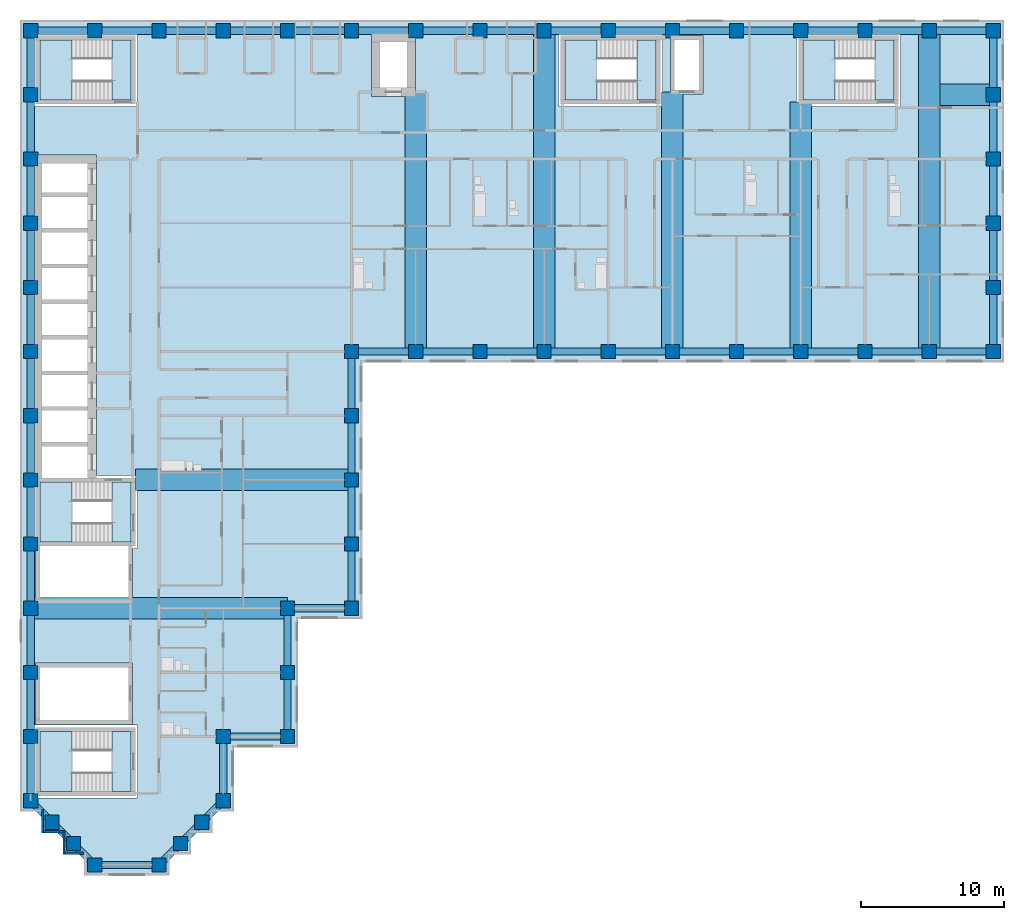
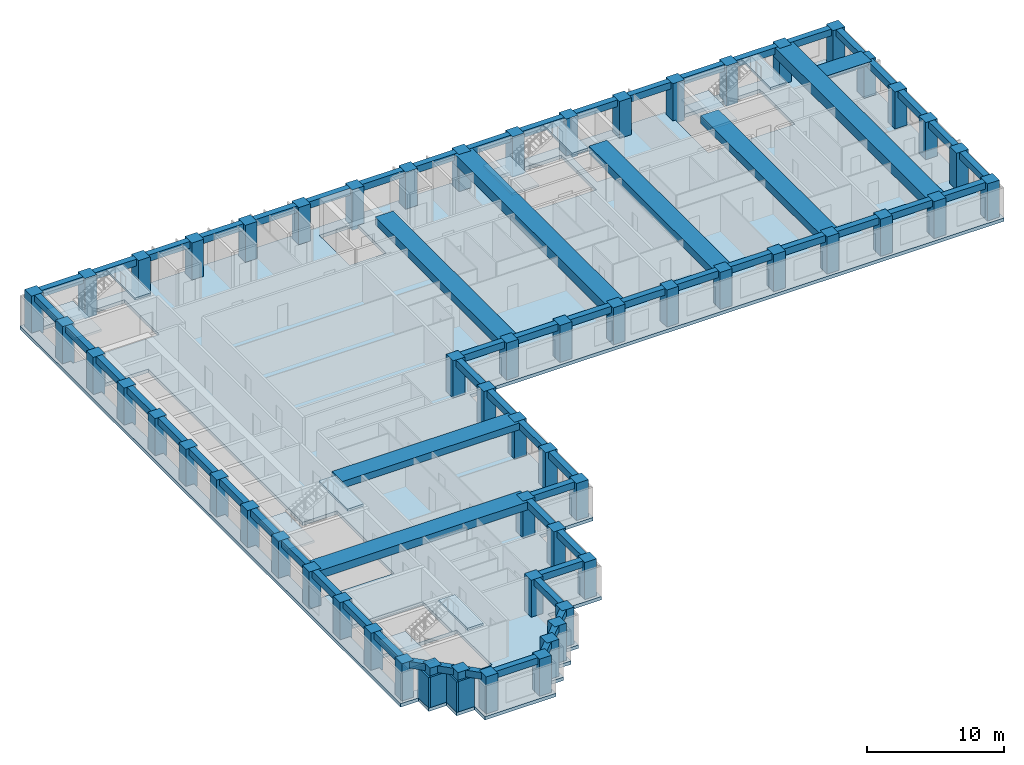
# One storey, part 1 of 12: 66 beams, 58 columns, 11 slabs, 4 walls, 5 elements without a shape of their own.
"""IFC4 building model written with IfcOpenShell, lengths in metres."""

import ifcopenshell
import ifcopenshell.guid

model = None  # the IFC model being written
_history = None  # IfcOwnerHistory: only IFC2X3 demands one
_inside = {}  # id of a spatial element -> (the spatial element, [elements in it])
_under = {}  # id of a project, library or spatial element -> (it, [spatial elements below it])
_declared = {}  # id of a project -> (the project, [libraries it declares])
_typed = {}  # id of a type object -> (the type object, [elements of that type])
_made_of = {}  # id of a material, layer set ... -> (it, [elements and type objects made of it])


def new_model(schema):
    """Start an empty IFC model of exactly this schema.

    Asked for "IFC4X3", IfcOpenShell would pick the latest addendum, in which some entities
    have other attributes; the version numbers below select the first issue.
    IFC2X3 requires an IfcOwnerHistory on every rooted entity: one is made here for all.
    """
    global model, _history
    if schema == "IFC4X3":
        model = ifcopenshell.file(schema_version=(4, 3, 0, 0))
    else:
        model = ifcopenshell.file(schema=schema)
    _inside.clear()
    _under.clear()
    _declared.clear()
    _typed.clear()
    _made_of.clear()
    _history = None
    if model.schema == "IFC2X3":
        org = make("IfcOrganization", Name="unknown")
        user = make(
            "IfcPersonAndOrganization",
            ThePerson=make("IfcPerson", FamilyName="unknown"),
            TheOrganization=org,
        )
        app = make(
            "IfcApplication",
            ApplicationDeveloper=org,
            Version="unknown",
            ApplicationFullName="unknown",
            ApplicationIdentifier="unknown",
        )
        _history = make(
            "IfcOwnerHistory",
            OwningUser=user,
            OwningApplication=app,
            ChangeAction="ADDED",
            CreationDate=0,
        )
    return model


def make(cls, **values):
    """One entity of the class cls with the attributes given. An attribute that is None is left unset."""
    return model.create_entity(
        cls, **{name: value for name, value in values.items() if value is not None}
    )


def rooted(cls, **values):
    """An entity with a GlobalId (a new one), such as an element, a storey or a relation."""
    return make(cls, GlobalId=ifcopenshell.guid.new(), OwnerHistory=_history, **values)


def si_unit(unit_type, name, prefix=None):
    """IfcSIUnit, for example si_unit("LENGTHUNIT", "METRE", prefix="MILLI")."""
    return make("IfcSIUnit", UnitType=unit_type, Prefix=prefix, Name=name)


def assignment(units):
    """IfcUnitAssignment: the units of a project."""
    return None if units is None else make("IfcUnitAssignment", Units=units)


def point(xyz):
    """IfcCartesianPoint."""
    return None if xyz is None else make("IfcCartesianPoint", Coordinates=xyz)


def direction(xyz):
    """IfcDirection."""
    return None if xyz is None else make("IfcDirection", DirectionRatios=xyz)


def frame(location, z_axis=None, x_axis=None):
    """IfcAxis2Placement3D, a coordinate frame: its origin and axes. An axis left out is left unset."""
    return make(
        "IfcAxis2Placement3D",
        Location=point(location),
        Axis=direction(z_axis),
        RefDirection=direction(x_axis),
    )


def frame_2d(location, x_axis=None):
    """IfcAxis2Placement2D, a coordinate frame in the plane: its origin and x axis."""
    return make(
        "IfcAxis2Placement2D", Location=point(location), RefDirection=direction(x_axis)
    )


def origin():
    """The frame at (0, 0, 0) with its axes left unset."""
    return frame((0.0, 0.0, 0.0))


def origin_2d():
    """The frame at (0, 0) in the plane with its x axis left unset."""
    return frame_2d((0.0, 0.0))


def place(relative_to, where):
    """IfcLocalPlacement: puts the frame where relative to a parent placement (None: the world)."""
    return make(
        "IfcLocalPlacement", PlacementRelTo=relative_to, RelativePlacement=where
    )


def context(
    kind, dimensions, precision=None, world=None, true_north=None, identifier=None
):
    """IfcGeometricRepresentationContext, for example the 3D "Model" context."""
    return make(
        "IfcGeometricRepresentationContext",
        ContextIdentifier=identifier,
        ContextType=kind,
        CoordinateSpaceDimension=dimensions,
        Precision=precision,
        WorldCoordinateSystem=world,
        TrueNorth=true_north,
    )


def subcontext(parent, identifier, kind, view, scale=None):
    """IfcGeometricRepresentationSubContext, for example "Body" below "Model"."""
    return make(
        "IfcGeometricRepresentationSubContext",
        ContextIdentifier=identifier,
        ContextType=kind,
        ParentContext=parent,
        TargetScale=scale,
        TargetView=view,
    )


def project(units=None, contexts=None):
    """IfcProject with its units and contexts."""
    return rooted(
        "IfcProject",
        Name="project",
        RepresentationContexts=contexts,
        UnitsInContext=assignment(units),
    )


def spatial(cls, under=None, at=None, **own):
    """A site, building, storey or space (cls), placed at a placement, below another one or the project."""
    s = rooted(cls, ObjectPlacement=at, **own)
    if under is not None:
        _under.setdefault(under.id(), (under, []))[1].append(s)
    return s


def polyline(points):
    """IfcPolyline through the points."""
    return make("IfcPolyline", Points=[point(p) for p in points])


def profile(cls, at=None, kind="AREA", **sizes):
    """A parametric profile (cls). Its sizes go by their IFC names, for example OverallWidth=200.0."""
    return make(cls, ProfileType=kind, Position=at, **sizes)


def rectangle(**sizes):
    """IfcRectangleProfileDef."""
    return profile("IfcRectangleProfileDef", **sizes)


def outline(outer, holes=None, kind="AREA"):
    """IfcArbitraryClosedProfileDef: a profile drawn as a closed curve; with holes, ...WithVoids."""
    if holes is None:
        return make("IfcArbitraryClosedProfileDef", ProfileType=kind, OuterCurve=outer)
    return make(
        "IfcArbitraryProfileDefWithVoids",
        ProfileType=kind,
        OuterCurve=outer,
        InnerCurves=holes,
    )


def extrude(swept, where, along, depth):
    """IfcExtrudedAreaSolid: the profile swept, set in the frame where, extruded along a direction by depth."""
    return make(
        "IfcExtrudedAreaSolid",
        SweptArea=swept,
        Position=where,
        ExtrudedDirection=direction(along),
        Depth=depth,
    )


def shape(context_of_items, identifier, shape_type, items):
    """IfcShapeRepresentation: the items that make up one representation, for example the "Body"."""
    return make(
        "IfcShapeRepresentation",
        ContextOfItems=context_of_items,
        RepresentationIdentifier=identifier,
        RepresentationType=shape_type,
        Items=items,
    )


def material(Name=None, Category=None):
    """IfcMaterial."""
    return make("IfcMaterial", Name=Name, Category=Category)


def layer(
    of_material, thickness, ventilated=None, Name=None, Category=None, Priority=None
):
    """IfcMaterialLayer: one layer of a wall or slab, of a material (None: an air gap)."""
    return make(
        "IfcMaterialLayer",
        Material=of_material,
        LayerThickness=thickness,
        IsVentilated=ventilated,
        Name=Name,
        Category=Category,
        Priority=Priority,
    )


def layer_set(layers, Name=None):
    """IfcMaterialLayerSet."""
    return make("IfcMaterialLayerSet", MaterialLayers=layers, LayerSetName=Name)


def material_profile(
    of_material, cross_section, Name=None, Category=None, Priority=None
):
    """IfcMaterialProfile: a cross section and its material."""
    return make(
        "IfcMaterialProfile",
        Name=Name,
        Material=of_material,
        Profile=cross_section,
        Priority=Priority,
        Category=Category,
    )


def profile_set(profiles, Name=None, composite=None):
    """IfcMaterialProfileSet."""
    return make(
        "IfcMaterialProfileSet",
        Name=Name,
        MaterialProfiles=profiles,
        CompositeProfile=composite,
    )


def made_of(thing, what):
    """Note that an element or type object is made of a material, layer set ...; save() writes the relation."""
    if what is not None:
        _made_of.setdefault(what.id(), (what, []))[1].append(thing)
    return thing


def type_object(cls, material=None, **own):
    """A type object (cls), such as IfcWallType, which elements share."""
    return made_of(rooted(cls, **own), material)


def element(
    cls,
    number,
    at=None,
    inside=None,
    cuts=None,
    type_object=None,
    material=None,
    context=None,
    identifier="Body",
    shape_type=None,
    held_by="IfcProductDefinitionShape",
    body=None,
    shapes=None,
    **own,
):
    """One element of the class cls, such as IfcWall. Its Tag is "e" and its number.

    at: its placement. inside: the storey or other place that contains it. cuts: it is an
    opening in that element (IfcRelVoidsElement). A single representation is given by context,
    identifier, shape_type and body (its items); several are given by shapes. held_by: the class
    of the entity that holds the representations. save() writes the other relations.
    """
    e = rooted(cls, Tag="e%d" % number, ObjectPlacement=at, **own)
    if body is not None:
        shapes = [shape(context, identifier, shape_type, body)]
    if shapes is not None:
        e.Representation = make(held_by, Representations=shapes)
    if inside is not None:
        _inside.setdefault(inside.id(), (inside, []))[1].append(e)
    if cuts is not None:
        rooted(
            "IfcRelVoidsElement", RelatingBuildingElement=cuts, RelatedOpeningElement=e
        )
    if type_object is not None:
        _typed.setdefault(type_object.id(), (type_object, []))[1].append(e)
    return made_of(e, material)


def aggregate(whole, parts):
    """IfcRelAggregates: a whole, such as a stair, and the parts it consists of."""
    return rooted("IfcRelAggregates", RelatingObject=whole, RelatedObjects=parts)


def save(model, path):
    """Write the relations noted so far, then the file.

    IfcRelAggregates (storeys below a building ...), IfcRelContainedInSpatialStructure (elements
    in a storey), IfcRelDefinesByType, IfcRelAssociatesMaterial and IfcRelDeclares: one each for
    every whole, place, type object, material and project.
    """
    for whole, parts in _under.values():
        aggregate(whole, parts)
    for where, things in _inside.values():
        rooted(
            "IfcRelContainedInSpatialStructure",
            RelatedElements=things,
            RelatingStructure=where,
        )
    for kind, things in _typed.values():
        rooted("IfcRelDefinesByType", RelatedObjects=things, RelatingType=kind)
    for what, things in _made_of.values():
        rooted("IfcRelAssociatesMaterial", RelatedObjects=things, RelatingMaterial=what)
    for by, libraries in _declared.values():
        rooted("IfcRelDeclares", RelatingContext=by, RelatedDefinitions=libraries)
    model.write(path)


model = new_model("IFC4")

# Units and contexts
model_context = context("Model", 3, precision=1e-05, world=origin(), true_north=direction((0.0, 1.0)))
body_context = subcontext(model_context, "Body", "Model", "MODEL_VIEW")
ifc_project = project(units=[si_unit("LENGTHUNIT", "METRE"), si_unit("AREAUNIT", "SQUARE_METRE"), si_unit("VOLUMEUNIT", "CUBIC_METRE"), si_unit("PLANEANGLEUNIT", "RADIAN"), si_unit("MASSUNIT", "GRAM", prefix="KILO")], contexts=[model_context])

# Site, building, storey
site_placement = place(None, origin())
site = spatial("IfcSite", under=ifc_project, at=site_placement, CompositionType="ELEMENT")
building_placement = place(site_placement, origin())
building = spatial("IfcBuilding", under=site, at=building_placement, Name="Firuza Court", CompositionType="ELEMENT")
storey_placement = place(building_placement, frame((0.0, 0.0, 166.39990234375)))
storey = spatial("IfcBuildingStorey", under=building, at=storey_placement, Name="L42", CompositionType="ELEMENT", Elevation=166.39990234375)

# Columns
ifc_material_1 = material(Name="Concrete C60/75", Category="concrete")
ifc_material_profile_1 = material_profile(ifc_material_1, rectangle(XDim=1.0, YDim=1.0, at=origin_2d()), Name="RC 1000x1000")
ifc_profile_set_1 = profile_set([ifc_material_profile_1], Name="Concrete C60/75")
column_type = type_object("IfcColumnType", Name="Tube column RC 1000x1000 C60/75", PredefinedType="COLUMN", material=ifc_profile_set_1)
for number, where, z_axis, x_axis, name in (
    (1, (4.5, 0.0, -0.2998046875), (0.0, 0.0, 1.0), (1.0, 0.0, 0.0), "Column C-2D L42"),
    (2, (9.0, 0.0, -0.2998046875), (0.0, 0.0, 1.0), (1.0, 0.0, 0.0), "Column C-3D L42"),
    (3, (3.0, 1.5, -0.2998046875), (0.0, 0.0, 1.0), (1.0, 0.0, 0.0), "Column C-SA1 L42"),
    (4, (10.5, 1.5, -0.2998046875), (0.0, 0.0, 1.0), (1.0, 0.0, 0.0), "Column C-SA2 L42"),
    (5, (1.5, 3.0, -0.2998046875), (0.0, 0.0, 1.0), (1.0, 0.0, 0.0), "Column C-SA3 L42"),
    (6, (12.0, 3.0, -0.2998046875), (0.0, 0.0, 1.0), (1.0, 0.0, 0.0), "Column C-SA4 L42"),
    (7, (0.0, 4.5, -0.2998046875), (0.0, 0.0, 1.0), (1.0, 0.0, 0.0), "Column C-1E L42"),
    (8, (13.5, 4.5, -0.2998046875), (0.0, 0.0, 1.0), (1.0, 0.0, 0.0), "Column C-4E L42"),
    (9, (0.0, 9.0, -0.2998046875), (0.0, 0.0, 1.0), (1.0, 0.0, 0.0), "Column C-1F L42"),
    (10, (13.5, 9.0, -0.2998046875), (0.0, 0.0, 1.0), (1.0, 0.0, 0.0), "Column C-4F L42"),
    (11, (18.0, 9.0, -0.2998046875), (0.0, 0.0, 1.0), (1.0, 0.0, 0.0), "Column C-5F L42"),
    (12, (0.0, 13.5, -0.2998046875), (0.0, 0.0, 1.0), (1.0, 0.0, 0.0), "Column C-1G L42"),
    (13, (18.0, 13.5, -0.2998046875), (0.0, 0.0, 1.0), (1.0, 0.0, 0.0), "Column C-5G L42"),
    (14, (0.0, 18.0, -0.2998046875), (0.0, 0.0, 1.0), (1.0, 0.0, 0.0), "Column C-1H L42"),
    (15, (18.0, 18.0, -0.2998046875), (0.0, 0.0, 1.0), (1.0, 0.0, 0.0), "Column C-5H L42"),
    (16, (22.5, 18.0, -0.2998046875), (0.0, 0.0, 1.0), (1.0, 0.0, 0.0), "Column C-6H L42"),
    (17, (0.0, 22.5, -0.2998046875), (0.0, 0.0, 1.0), (1.0, 0.0, 0.0), "Column C-1J L42"),
    (18, (22.5, 22.5, -0.2998046875), (0.0, 0.0, 1.0), (1.0, 0.0, 0.0), "Column C-6J L42"),
    (19, (0.0, 27.0, -0.2998046875), (0.0, 0.0, 1.0), (1.0, 0.0, 0.0), "Column C-1K L42"),
    (20, (22.5, 27.0, -0.2998046875), (0.0, 0.0, 1.0), (1.0, 0.0, 0.0), "Column C-6K L42"),
    (21, (0.0, 31.5, -0.2998046875), (0.0, 0.0, 1.0), (1.0, 0.0, 0.0), "Column C-1L L42"),
    (22, (22.5, 31.5, -0.2998046875), (0.0, 0.0, 1.0), (1.0, 0.0, 0.0), "Column C-6L L42"),
    (23, (0.0, 36.0, -0.2998046875), (0.0, 0.0, 1.0), (1.0, 0.0, 0.0), "Column C-1M L42"),
    (24, (22.5, 36.0, -0.2998046875), (0.0, 0.0, 1.0), (1.0, 0.0, 0.0), "Column C-6M L42"),
    (25, (27.0, 36.0, -0.2998046875), (0.0, 0.0, 1.0), (1.0, 0.0, 0.0), "Column C-7M L42"),
    (26, (31.5, 36.0, -0.2998046875), (0.0, 0.0, 1.0), (1.0, 0.0, 0.0), "Column C-8M L42"),
    (27, (36.0, 36.0, -0.2998046875), (0.0, 0.0, 1.0), (1.0, 0.0, 0.0), "Column C-9M L42"),
    (28, (40.5, 36.0, -0.2998046875), (0.0, 0.0, 1.0), (1.0, 0.0, 0.0), "Column C-10M L42"),
    (29, (45.0, 36.0, -0.2998046875), (0.0, 0.0, 1.0), (1.0, 0.0, 0.0), "Column C-11M L42"),
    (30, (49.5, 36.0, -0.2998046875), (0.0, 0.0, 1.0), (1.0, 0.0, 0.0), "Column C-12M L42"),
    (31, (54.0, 36.0, -0.2998046875), (0.0, 0.0, 1.0), (1.0, 0.0, 0.0), "Column C-13M L42"),
    (32, (58.5, 36.0, -0.2998046875), (0.0, 0.0, 1.0), (1.0, 0.0, 0.0), "Column C-14M L42"),
    (33, (63.0, 36.0, -0.2998046875), (0.0, 0.0, 1.0), (1.0, 0.0, 0.0), "Column C-15M L42"),
    (34, (67.5, 36.0, -0.2998046875), (0.0, 0.0, 1.0), (1.0, 0.0, 0.0), "Column C-16M L42"),
    (35, (0.0, 40.5, -0.2998046875), (0.0, 0.0, 1.0), (1.0, 0.0, 0.0), "Column C-1N L42"),
    (36, (67.5, 40.5, -0.2998046875), (0.0, 0.0, 1.0), (1.0, 0.0, 0.0), "Column C-16N L42"),
    (37, (0.0, 45.0, -0.2998046875), (0.0, 0.0, 1.0), (1.0, 0.0, 0.0), "Column C-1P L42"),
    (38, (67.5, 45.0, -0.2998046875), (0.0, 0.0, 1.0), (1.0, 0.0, 0.0), "Column C-16P L42"),
    (39, (0.0, 49.5, -0.2998046875), (0.0, 0.0, 1.0), (1.0, 0.0, 0.0), "Column C-1Q L42"),
    (40, (67.5, 49.5, -0.2998046875), (0.0, 0.0, 1.0), (1.0, 0.0, 0.0), "Column C-16Q L42"),
    (41, (0.0, 54.0, -0.2998046875), (0.0, 0.0, 1.0), (1.0, 0.0, 0.0), "Column C-1R L42"),
    (42, (67.5, 54.0, -0.2998046875), (0.0, 0.0, 1.0), (1.0, 0.0, 0.0), "Column C-16R L42"),
    (43, (0.0, 58.5, -0.2998046875), (0.0, 0.0, 1.0), (1.0, 0.0, 0.0), "Column C-1S L42"),
    (44, (4.5, 58.5, -0.2998046875), (0.0, 0.0, 1.0), (1.0, 0.0, 0.0), "Column C-2S L42"),
    (45, (9.0, 58.5, -0.2998046875), (0.0, 0.0, 1.0), (1.0, 0.0, 0.0), "Column C-3S L42"),
    (46, (13.5, 58.5, -0.2998046875), (0.0, 0.0, 1.0), (1.0, 0.0, 0.0), "Column C-4S L42"),
    (47, (18.0, 58.5, -0.2998046875), (0.0, 0.0, 1.0), (1.0, 0.0, 0.0), "Column C-5S L42"),
    (48, (22.5, 58.5, -0.2998046875), (0.0, 0.0, 1.0), (1.0, 0.0, 0.0), "Column C-6S L42"),
    (49, (27.0, 58.5, -0.2998046875), (0.0, 0.0, 1.0), (1.0, 0.0, 0.0), "Column C-7S L42"),
    (50, (31.5, 58.5, -0.2998046875), (0.0, 0.0, 1.0), (1.0, 0.0, 0.0), "Column C-8S L42"),
    (51, (36.0, 58.5, -0.2998046875), (0.0, 0.0, 1.0), (1.0, 0.0, 0.0), "Column C-9S L42"),
    (52, (40.5, 58.5, -0.2998046875), (0.0, 0.0, 1.0), (1.0, 0.0, 0.0), "Column C-10S L42"),
    (53, (45.0, 58.5, -0.2998046875), (0.0, 0.0, 1.0), (1.0, 0.0, 0.0), "Column C-11S L42"),
    (54, (49.5, 58.5, -0.2998046875), (0.0, 0.0, 1.0), (1.0, 0.0, 0.0), "Column C-12S L42"),
    (55, (54.0, 58.5, -0.2998046875), (0.0, 0.0, 1.0), (1.0, 0.0, 0.0), "Column C-13S L42"),
    (56, (58.5, 58.5, -0.2998046875), (0.0, 0.0, 1.0), (1.0, 0.0, 0.0), "Column C-14S L42"),
    (57, (63.0, 58.5, -0.2998046875), (0.0, 0.0, 1.0), (1.0, 0.0, 0.0), "Column C-15S L42"),
    (58, (67.5, 58.5, -0.2998046875), (0.0, 0.0, 1.0), (1.0, 0.0, 0.0), "Column C-16S L42"),
):
    element("IfcColumn", number, at=place(storey_placement, frame(where, z_axis=z_axis, x_axis=x_axis)), inside=storey, type_object=column_type, Name=name, PredefinedType="COLUMN", context=body_context, shape_type="SweptSolid", body=[
        extrude(rectangle(XDim=1.0, YDim=1.0, at=origin_2d()), origin(), (0.0, 0.0, 1.0), 3.599853515625),
    ])

# Beams
ifc_material_2 = material(Name="Concrete C40/50", Category="concrete")
ifc_material_profile_2 = material_profile(ifc_material_2, rectangle(XDim=1.5, YDim=0.300048828125, at=origin_2d()), Name="RC 1500x300")
ifc_profile_set_2 = profile_set([ifc_material_profile_2], Name="Concrete C40/50")
beam_type_1 = type_object("IfcBeamType", Name="Band beam RC 1500x300 C40/50", PredefinedType="BEAM", material=ifc_profile_set_2)
beam_1_placement = place(storey_placement, frame((67.5, 54.0, 3.150146484375), z_axis=(-1.0, 0.0, 0.0), x_axis=(0.0, -1.0, 0.0)))
element("IfcBeam", 59, at=beam_1_placement, inside=storey, type_object=beam_type_1, Name="Band beam FB6 level L43", PredefinedType="BEAM", context=body_context, shape_type="SweptSolid", body=[
    extrude(rectangle(XDim=1.5, YDim=0.300048828125, at=origin_2d()), origin(), (0.0, 0.0, 1.0), 3.75),
])
ifc_material_3 = material(Name="Concrete C40/50", Category="concrete")
ifc_material_profile_3 = material_profile(ifc_material_3, rectangle(XDim=1.5, YDim=0.60009765625, at=origin_2d()), Name="RC 1500x600")
ifc_profile_set_3 = profile_set([ifc_material_profile_3], Name="Concrete C40/50")
beam_type_2 = type_object("IfcBeamType", Name="Band beam RC 1500x600 C40/50", PredefinedType="BEAM", material=ifc_profile_set_3)
beam_2_placement = place(storey_placement, frame((22.5, 27.0, 3.0), z_axis=(-1.0, 0.0, 0.0), x_axis=(0.0, -1.0, 0.0)))
element("IfcBeam", 60, at=beam_2_placement, inside=storey, type_object=beam_type_2, Name="Band beam FB3 level L43", PredefinedType="BEAM", context=body_context, shape_type="SweptSolid", body=[
    extrude(rectangle(XDim=1.5, YDim=0.60009765625, at=origin_2d()), origin(), (0.0, 0.0, 1.0), 15.14990234375),
])
ifc_material_4 = material(Name="Concrete C40/50", Category="concrete")
ifc_material_profile_4 = material_profile(ifc_material_4, rectangle(XDim=1.5, YDim=0.699951171875, at=origin_2d()), Name="RC 1500x700")
ifc_profile_set_4 = profile_set([ifc_material_profile_4], Name="Concrete C40/50")
beam_type_3 = type_object("IfcBeamType", Name="Band beam RC 1500x700 C40/50", PredefinedType="BEAM", material=ifc_profile_set_4)
beam_3_placement = place(storey_placement, frame((0.0, 18.0, 2.9501953125), z_axis=(1.0, 0.0, 0.0), x_axis=(0.0, 1.0, 0.0)))
element("IfcBeam", 61, at=beam_3_placement, inside=storey, type_object=beam_type_3, Name="Band beam FB1 level L43", PredefinedType="BEAM", context=body_context, shape_type="SweptSolid", body=[
    extrude(rectangle(XDim=1.5, YDim=0.699951171875, at=origin_2d()), origin(), (0.0, 0.0, 1.0), 18.0),
])
for number, where, z_axis, x_axis, name in (
    (62, (27.0, 36.0, 2.9501953125), (0.0, 1.0, 0.0), (-1.0, 0.0, 0.0), "Band beam FB1 level L43"),
    (63, (45.0, 36.0, 2.9501953125), (0.0, 1.0, 0.0), (-1.0, 0.0, 0.0), "Band beam FB1 level L43"),
):
    element("IfcBeam", number, at=place(storey_placement, frame(where, z_axis=z_axis, x_axis=x_axis)), inside=storey, type_object=beam_type_3, Name=name, PredefinedType="BEAM", context=body_context, shape_type="SweptSolid", body=[
        extrude(rectangle(XDim=1.5, YDim=0.699951171875, at=origin_2d()), origin(), (0.0, 0.0, 1.0), 18.199951171875),
    ])
beam_4_placement = place(storey_placement, frame((54.0, 36.0, 2.9501953125), z_axis=(0.0, 1.0, 0.0), x_axis=(-1.0, 0.0, 0.0)))
element("IfcBeam", 64, at=beam_4_placement, inside=storey, type_object=beam_type_3, Name="Band beam FB1 level L43", PredefinedType="BEAM", context=body_context, shape_type="SweptSolid", body=[
    extrude(rectangle(XDim=1.5, YDim=0.699951171875, at=origin_2d()), origin(), (0.0, 0.0, 1.0), 17.5),
])
ifc_material_5 = material(Name="Concrete C40/50", Category="concrete")
ifc_material_profile_5 = material_profile(ifc_material_5, rectangle(XDim=1.5, YDim=0.89990234375, at=origin_2d()), Name="RC 1500x900")
ifc_profile_set_5 = profile_set([ifc_material_profile_5], Name="Concrete C40/50")
beam_type_4 = type_object("IfcBeamType", Name="Band beam RC 1500x900 C40/50", PredefinedType="BEAM", material=ifc_profile_set_5)
for number, where, z_axis, x_axis, name in (
    (65, (36.0, 36.0, 2.85009765625), (0.0, 1.0, 0.0), (-1.0, 0.0, 0.0), "Band beam FB2 level L43"),
    (66, (63.0, 36.0, 2.85009765625), (0.0, 1.0, 0.0), (-1.0, 0.0, 0.0), "Band beam FB2 level L43"),
):
    element("IfcBeam", number, at=place(storey_placement, frame(where, z_axis=z_axis, x_axis=x_axis)), inside=storey, type_object=beam_type_4, Name=name, PredefinedType="BEAM", context=body_context, shape_type="SweptSolid", body=[
        extrude(rectangle(XDim=1.5, YDim=0.89990234375, at=origin_2d()), origin(), (0.0, 0.0, 1.0), 22.5),
    ])
ifc_material_6 = material(Name="Concrete C40/50", Category="concrete")
ifc_material_profile_6 = material_profile(ifc_material_6, rectangle(XDim=0.5, YDim=0.60009765625, at=origin_2d()), Name="RC 500x600")
ifc_profile_set_6 = profile_set([ifc_material_profile_6], Name="Concrete C40/50")
beam_type_5 = type_object("IfcBeamType", Name="Spandrel beam RC 500x600 C40/50", PredefinedType="BEAM", material=ifc_profile_set_6)
beam_5_placement = place(storey_placement, frame((0.0, 4.5, 3.0), z_axis=(0.707106781187, -0.707106781187, 0.0), x_axis=(0.707106781187, 0.707106781187, 0.0)))
element("IfcBeam", 67, at=beam_5_placement, inside=storey, type_object=beam_type_5, Name="Spandrel beam SP13 level L43", PredefinedType="BEAM", context=body_context, shape_type="SweptSolid", body=[
    extrude(rectangle(XDim=0.5, YDim=0.60009765625, at=origin_2d()), origin(), (0.0, 0.0, 1.0), 2.121337890625),
])
for number, where, z_axis, x_axis, name in (
    (68, (0.0, 9.0, 3.0), (0.0, -1.0, 0.0), (1.0, 0.0, 0.0), "Spandrel beam SP13 level L43"),
    (69, (0.0, 13.5, 3.0), (0.0, -1.0, 0.0), (1.0, 0.0, 0.0), "Spandrel beam SP13 level L43"),
    (70, (0.0, 18.0, 3.0), (0.0, -1.0, 0.0), (1.0, 0.0, 0.0), "Spandrel beam SP13 level L43"),
    (71, (0.0, 22.5, 3.0), (0.0, -1.0, 0.0), (1.0, 0.0, 0.0), "Spandrel beam SP13 level L43"),
    (72, (0.0, 27.0, 3.0), (0.0, -1.0, 0.0), (1.0, 0.0, 0.0), "Spandrel beam SP13 level L43"),
    (73, (0.0, 31.5, 3.0), (0.0, -1.0, 0.0), (1.0, 0.0, 0.0), "Spandrel beam SP13 level L43"),
    (74, (0.0, 36.0, 3.0), (0.0, -1.0, 0.0), (1.0, 0.0, 0.0), "Spandrel beam SP13 level L43"),
    (75, (0.0, 40.5, 3.0), (0.0, -1.0, 0.0), (1.0, 0.0, 0.0), "Spandrel beam SP13 level L43"),
    (76, (0.0, 45.0, 3.0), (0.0, -1.0, 0.0), (1.0, 0.0, 0.0), "Spandrel beam SP13 level L43"),
    (77, (0.0, 49.5, 3.0), (0.0, -1.0, 0.0), (1.0, 0.0, 0.0), "Spandrel beam SP13 level L43"),
    (78, (0.0, 54.0, 3.0), (0.0, -1.0, 0.0), (1.0, 0.0, 0.0), "Spandrel beam SP13 level L43"),
    (79, (0.0, 58.5, 3.0), (0.0, -1.0, 0.0), (1.0, 0.0, 0.0), "Spandrel beam SP13 level L43"),
):
    element("IfcBeam", number, at=place(storey_placement, frame(where, z_axis=z_axis, x_axis=x_axis)), inside=storey, type_object=beam_type_5, Name=name, PredefinedType="BEAM", context=body_context, shape_type="SweptSolid", body=[
        extrude(rectangle(XDim=0.5, YDim=0.60009765625, at=origin_2d()), origin(), (0.0, 0.0, 1.0), 4.5),
    ])
for number, where, z_axis, x_axis, name in (
    (80, (1.5, 3.0, 3.0), (0.707106781187, -0.707106781187, 0.0), (0.707106781187, 0.707106781187, 0.0), "Spandrel beam SP13 level L43"),
    (81, (3.0, 1.5, 3.0), (0.707106781187, -0.707106781187, 0.0), (0.707106781187, 0.707106781187, 0.0), "Spandrel beam SP13 level L43"),
):
    element("IfcBeam", number, at=place(storey_placement, frame(where, z_axis=z_axis, x_axis=x_axis)), inside=storey, type_object=beam_type_5, Name=name, PredefinedType="BEAM", context=body_context, shape_type="SweptSolid", body=[
        extrude(rectangle(XDim=0.5, YDim=0.60009765625, at=origin_2d()), origin(), (0.0, 0.0, 1.0), 2.121337890625),
    ])
for number, where, z_axis, x_axis, name in (
    (82, (4.5, 0.0, 3.0), (1.0, 0.0, 0.0), (0.0, 1.0, 0.0), "Spandrel beam SP13 level L43"),
    (83, (4.5, 58.5, 3.0), (-1.0, 0.0, 0.0), (0.0, -1.0, 0.0), "Spandrel beam SP13 level L43"),
):
    element("IfcBeam", number, at=place(storey_placement, frame(where, z_axis=z_axis, x_axis=x_axis)), inside=storey, type_object=beam_type_5, Name=name, PredefinedType="BEAM", context=body_context, shape_type="SweptSolid", body=[
        extrude(rectangle(XDim=0.5, YDim=0.60009765625, at=origin_2d()), origin(), (0.0, 0.0, 1.0), 4.5),
    ])
beam_6_placement = place(storey_placement, frame((9.0, 0.0, 3.0), z_axis=(0.707106781187, 0.707106781187, 0.0), x_axis=(-0.707106781187, 0.707106781187, 0.0)))
element("IfcBeam", 84, at=beam_6_placement, inside=storey, type_object=beam_type_5, Name="Spandrel beam SP13 level L43", PredefinedType="BEAM", context=body_context, shape_type="SweptSolid", body=[
    extrude(rectangle(XDim=0.5, YDim=0.60009765625, at=origin_2d()), origin(), (0.0, 0.0, 1.0), 2.121337890625),
])
beam_7_placement = place(storey_placement, frame((9.0, 58.5, 3.0), z_axis=(-1.0, 0.0, 0.0), x_axis=(0.0, -1.0, 0.0)))
element("IfcBeam", 85, at=beam_7_placement, inside=storey, type_object=beam_type_5, Name="Spandrel beam SP13 level L43", PredefinedType="BEAM", context=body_context, shape_type="SweptSolid", body=[
    extrude(rectangle(XDim=0.5, YDim=0.60009765625, at=origin_2d()), origin(), (0.0, 0.0, 1.0), 4.5),
])
for number, where, z_axis, x_axis, name in (
    (86, (10.5, 1.5, 3.0), (0.707106781187, 0.707106781187, 0.0), (-0.707106781187, 0.707106781187, 0.0), "Spandrel beam SP13 level L43"),
    (87, (12.0, 3.0, 3.0), (0.707106781187, 0.707106781187, 0.0), (-0.707106781187, 0.707106781187, 0.0), "Spandrel beam SP13 level L43"),
):
    element("IfcBeam", number, at=place(storey_placement, frame(where, z_axis=z_axis, x_axis=x_axis)), inside=storey, type_object=beam_type_5, Name=name, PredefinedType="BEAM", context=body_context, shape_type="SweptSolid", body=[
        extrude(rectangle(XDim=0.5, YDim=0.60009765625, at=origin_2d()), origin(), (0.0, 0.0, 1.0), 2.121337890625),
    ])
for number, where, z_axis, x_axis, name in (
    (88, (13.5, 4.5, 3.0), (0.0, 1.0, 0.0), (-1.0, 0.0, 0.0), "Spandrel beam SP13 level L43"),
    (89, (13.5, 9.0, 3.0), (1.0, 0.0, 0.0), (0.0, 1.0, 0.0), "Spandrel beam SP13 level L43"),
    (90, (13.5, 58.5, 3.0), (-1.0, 0.0, 0.0), (0.0, -1.0, 0.0), "Spandrel beam SP13 level L43"),
    (91, (18.0, 9.0, 3.0), (0.0, 1.0, 0.0), (-1.0, 0.0, 0.0), "Spandrel beam SP13 level L43"),
    (92, (18.0, 13.5, 3.0), (0.0, 1.0, 0.0), (-1.0, 0.0, 0.0), "Spandrel beam SP13 level L43"),
    (93, (18.0, 18.0, 3.0), (1.0, 0.0, 0.0), (0.0, 1.0, 0.0), "Spandrel beam SP13 level L43"),
    (94, (18.0, 58.5, 3.0), (-1.0, 0.0, 0.0), (0.0, -1.0, 0.0), "Spandrel beam SP13 level L43"),
    (95, (22.5, 18.0, 3.0), (0.0, 1.0, 0.0), (-1.0, 0.0, 0.0), "Spandrel beam SP13 level L43"),
    (96, (22.5, 22.5, 3.0), (0.0, 1.0, 0.0), (-1.0, 0.0, 0.0), "Spandrel beam SP13 level L43"),
    (97, (22.5, 27.0, 3.0), (0.0, 1.0, 0.0), (-1.0, 0.0, 0.0), "Spandrel beam SP13 level L43"),
    (98, (22.5, 31.5, 3.0), (0.0, 1.0, 0.0), (-1.0, 0.0, 0.0), "Spandrel beam SP13 level L43"),
    (99, (22.5, 36.0, 3.0), (1.0, 0.0, 0.0), (0.0, 1.0, 0.0), "Spandrel beam SP13 level L43"),
    (100, (22.5, 58.5, 3.0), (-1.0, 0.0, 0.0), (0.0, -1.0, 0.0), "Spandrel beam SP13 level L43"),
    (101, (27.0, 36.0, 3.0), (1.0, 0.0, 0.0), (0.0, 1.0, 0.0), "Spandrel beam SP13 level L43"),
    (102, (27.0, 58.5, 3.0), (-1.0, 0.0, 0.0), (0.0, -1.0, 0.0), "Spandrel beam SP13 level L43"),
    (103, (31.5, 36.0, 3.0), (1.0, 0.0, 0.0), (0.0, 1.0, 0.0), "Spandrel beam SP13 level L43"),
    (104, (31.5, 58.5, 3.0), (-1.0, 0.0, 0.0), (0.0, -1.0, 0.0), "Spandrel beam SP13 level L43"),
    (105, (36.0, 36.0, 3.0), (1.0, 0.0, 0.0), (0.0, 1.0, 0.0), "Spandrel beam SP13 level L43"),
    (106, (36.0, 58.5, 3.0), (-1.0, 0.0, 0.0), (0.0, -1.0, 0.0), "Spandrel beam SP13 level L43"),
    (107, (40.5, 36.0, 3.0), (1.0, 0.0, 0.0), (0.0, 1.0, 0.0), "Spandrel beam SP13 level L43"),
    (108, (40.5, 58.5, 3.0), (-1.0, 0.0, 0.0), (0.0, -1.0, 0.0), "Spandrel beam SP13 level L43"),
    (109, (45.0, 36.0, 3.0), (1.0, 0.0, 0.0), (0.0, 1.0, 0.0), "Spandrel beam SP13 level L43"),
    (110, (45.0, 58.5, 3.0), (-1.0, 0.0, 0.0), (0.0, -1.0, 0.0), "Spandrel beam SP13 level L43"),
    (111, (49.5, 36.0, 3.0), (1.0, 0.0, 0.0), (0.0, 1.0, 0.0), "Spandrel beam SP13 level L43"),
    (112, (49.5, 58.5, 3.0), (-1.0, 0.0, 0.0), (0.0, -1.0, 0.0), "Spandrel beam SP13 level L43"),
    (113, (54.0, 36.0, 3.0), (1.0, 0.0, 0.0), (0.0, 1.0, 0.0), "Spandrel beam SP13 level L43"),
    (114, (54.0, 58.5, 3.0), (-1.0, 0.0, 0.0), (0.0, -1.0, 0.0), "Spandrel beam SP13 level L43"),
    (115, (58.5, 36.0, 3.0), (1.0, 0.0, 0.0), (0.0, 1.0, 0.0), "Spandrel beam SP13 level L43"),
    (116, (58.5, 58.5, 3.0), (-1.0, 0.0, 0.0), (0.0, -1.0, 0.0), "Spandrel beam SP13 level L43"),
    (117, (63.0, 36.0, 3.0), (1.0, 0.0, 0.0), (0.0, 1.0, 0.0), "Spandrel beam SP13 level L43"),
    (118, (63.0, 58.5, 3.0), (-1.0, 0.0, 0.0), (0.0, -1.0, 0.0), "Spandrel beam SP13 level L43"),
    (119, (67.5, 36.0, 3.0), (0.0, 1.0, 0.0), (-1.0, 0.0, 0.0), "Spandrel beam SP13 level L43"),
    (120, (67.5, 40.5, 3.0), (0.0, 1.0, 0.0), (-1.0, 0.0, 0.0), "Spandrel beam SP13 level L43"),
    (121, (67.5, 45.0, 3.0), (0.0, 1.0, 0.0), (-1.0, 0.0, 0.0), "Spandrel beam SP13 level L43"),
    (122, (67.5, 49.5, 3.0), (0.0, 1.0, 0.0), (-1.0, 0.0, 0.0), "Spandrel beam SP13 level L43"),
    (123, (67.5, 54.0, 3.0), (0.0, 1.0, 0.0), (-1.0, 0.0, 0.0), "Spandrel beam SP13 level L43"),
    (124, (67.5, 58.5, 3.0), (-1.0, 0.0, 0.0), (0.0, -1.0, 0.0), "Spandrel beam SP13 level L43"),
):
    element("IfcBeam", number, at=place(storey_placement, frame(where, z_axis=z_axis, x_axis=x_axis)), inside=storey, type_object=beam_type_5, Name=name, PredefinedType="BEAM", context=body_context, shape_type="SweptSolid", body=[
        extrude(rectangle(XDim=0.5, YDim=0.60009765625, at=origin_2d()), origin(), (0.0, 0.0, 1.0), 4.5),
    ])

# Slab
ifc_material_7 = material(Name="Concrete C40/50", Category="concrete")
ifc_layer_1 = layer(ifc_material_7, 0.300048828125)
ifc_layer_set_1 = layer_set([ifc_layer_1], Name="Concrete C40/50")
slab_type_1 = type_object("IfcSlabType", Name="Floor slab 300 C40/50", PredefinedType="FLOOR", material=ifc_layer_set_1)
slab_1_placement = place(storey_placement, frame((0.0, 0.0, -0.2998046875)))
element("IfcSlab", 125, at=slab_1_placement, inside=storey, type_object=slab_type_1, Name="Floor slab L42", PredefinedType="FLOOR", context=body_context, shape_type="SweptSolid", body=[
    extrude(outline(polyline([(3.75, -0.75), (3.75, 0.75), (2.25, 0.75), (2.25, 2.25), (0.75, 2.25), (0.75, 3.75), (-0.75, 3.75), (-0.75, 59.25), (68.25, 59.25), (68.25, 35.25), (23.25, 35.25), (23.25, 17.25), (18.75, 17.25), (18.75, 8.25), (14.25, 8.25), (14.25, 3.75), (12.75, 3.75), (12.75, 2.25), (11.25, 2.25), (11.25, 0.75), (9.75, 0.75), (9.75, -0.75), (3.75, -0.75)]), holes=[polyline([(0.199951171875, 29.800048828125), (0.199951171875, 29.199951171875), (0.199951171875, 27.300048828125), (0.199951171875, 26.699951171875), (0.199951171875, 22.199951171875), (0.35009765625, 22.199951171875), (0.35009765625, 18.35009765625), (7.14990234375, 18.35009765625), (7.14990234375, 22.199951171875), (7.5, 22.199951171875), (7.5, 27.300048828125), (4.60009765625, 27.300048828125), (4.60009765625, 29.199951171875), (4.60009765625, 29.800048828125), (4.60009765625, 31.699951171875), (4.60009765625, 32.300048828125), (4.60009765625, 34.199951171875), (4.60009765625, 34.800048828125), (4.60009765625, 36.699951171875), (4.60009765625, 37.300048828125), (4.60009765625, 39.199951171875), (4.60009765625, 39.800048828125), (4.60009765625, 41.699951171875), (4.60009765625, 42.300048828125), (4.60009765625, 44.199951171875), (4.60009765625, 44.800048828125), (4.60009765625, 46.699951171875), (4.60009765625, 47.300048828125), (4.60009765625, 49.800048828125), (0.199951171875, 49.800048828125), (0.199951171875, 47.300048828125), (0.199951171875, 46.699951171875), (0.199951171875, 44.800048828125), (0.199951171875, 44.199951171875), (0.199951171875, 42.300048828125), (0.199951171875, 41.699951171875), (0.199951171875, 39.800048828125), (0.199951171875, 39.199951171875), (0.199951171875, 37.300048828125), (0.199951171875, 36.699951171875), (0.199951171875, 34.800048828125), (0.199951171875, 34.199951171875), (0.199951171875, 32.300048828125), (0.199951171875, 31.699951171875), (0.199951171875, 29.800048828125)]), polyline([(7.5, 9.800048828125), (0.199951171875, 9.800048828125), (0.199951171875, 4.699951171875), (7.5, 4.699951171875), (7.5, 9.800048828125)]), polyline([(7.14990234375, 14.14990234375), (0.35009765625, 14.14990234375), (0.35009765625, 9.85009765625), (7.14990234375, 9.85009765625), (7.14990234375, 14.14990234375)]), polyline([(7.5, 58.300048828125), (0.199951171875, 58.300048828125), (0.199951171875, 53.199951171875), (7.5, 53.199951171875), (7.5, 58.300048828125)]), polyline([(44.300048828125, 58.300048828125), (37.0, 58.300048828125), (37.0, 53.199951171875), (44.300048828125, 53.199951171875), (44.300048828125, 58.300048828125)]), polyline([(61.0, 58.300048828125), (53.699951171875, 58.300048828125), (53.699951171875, 53.199951171875), (61.0, 53.199951171875), (61.0, 58.300048828125)]), polyline([(27.0, 53.89990234375), (27.0, 58.300048828125), (23.89990234375, 58.300048828125), (23.89990234375, 53.89990234375), (27.0, 53.89990234375)]), polyline([(47.14990234375, 54.050048828125), (47.14990234375, 58.14990234375), (44.85009765625, 58.14990234375), (44.85009765625, 54.050048828125), (47.14990234375, 54.050048828125)])]), origin(), (0.0, 0.0, 1.0), 0.2998046875),
])

# Stair, slabs
ifc_material_8 = material(Name="Concrete C40/50 precast", Category="concrete")
stair_type = type_object("IfcStairType", Name="Stair 1350 x 3600 2 flights", PredefinedType="HALF_TURN_STAIR", material=ifc_material_8)
stair_1_placement = place(storey_placement, origin())
stair_1 = element("IfcStair", 126, at=stair_1_placement, inside=storey, type_object=stair_type, Name="Stair 1 L42", PredefinedType="HALF_TURN_STAIR")
ifc_material_9 = material(Name="Concrete C40/50 precast", Category="concrete")
ifc_layer_2 = layer(ifc_material_9, 0.199951171875)
ifc_layer_set_2 = layer_set([ifc_layer_2], Name="Concrete C40/50 precast")
slab_type_2 = type_object("IfcSlabType", Name="Stair landing 200", PredefinedType="LANDING", material=ifc_layer_set_2)
slab_2_placement = place(storey_placement, frame((0.0, 0.0, 1.60009765625)))
slab_2 = element("IfcSlab", 127, at=slab_2_placement, type_object=slab_type_2, Name="S1 landing 1", PredefinedType="LANDING", context=body_context, shape_type="SweptSolid", body=[
    extrude(outline(polyline([(39.699951171875, 53.64990234375), (39.699951171875, 57.85009765625), (37.449951171875, 57.85009765625), (37.449951171875, 53.64990234375), (39.699951171875, 53.64990234375)])), origin(), (0.0, 0.0, 1.0), 0.199951171875),
])
slab_3_placement = place(storey_placement, frame((0.0, 0.0, 3.400146484375)))
slab_3 = element("IfcSlab", 128, at=slab_3_placement, type_object=slab_type_2, Name="S1 landing 2", PredefinedType="LANDING", context=body_context, shape_type="SweptSolid", body=[
    extrude(outline(polyline([(43.85009765625, 53.64990234375), (43.85009765625, 57.85009765625), (42.5, 57.85009765625), (42.5, 53.64990234375), (43.85009765625, 53.64990234375)])), origin(), (0.0, 0.0, 1.0), 0.199951171875),
])
aggregate(stair_1, [slab_2, slab_3])

stair_2_placement = place(storey_placement, origin())
stair_2 = element("IfcStair", 129, at=stair_2_placement, inside=storey, type_object=stair_type, Name="Stair 2 L42", PredefinedType="HALF_TURN_STAIR")
slab_4_placement = place(storey_placement, frame((0.0, 0.0, 1.60009765625)))
slab_4 = element("IfcSlab", 130, at=slab_4_placement, type_object=slab_type_2, Name="S2 landing 1", PredefinedType="LANDING", context=body_context, shape_type="SweptSolid", body=[
    extrude(outline(polyline([(2.89990234375, 22.64990234375), (2.89990234375, 26.85009765625), (0.64990234375, 26.85009765625), (0.64990234375, 22.64990234375), (2.89990234375, 22.64990234375)])), origin(), (0.0, 0.0, 1.0), 0.199951171875),
])
slab_5_placement = place(storey_placement, frame((0.0, 0.0, 3.400146484375)))
slab_5 = element("IfcSlab", 131, at=slab_5_placement, type_object=slab_type_2, Name="S2 landing 2", PredefinedType="LANDING", context=body_context, shape_type="SweptSolid", body=[
    extrude(outline(polyline([(7.050048828125, 22.64990234375), (7.050048828125, 26.85009765625), (5.699951171875, 26.85009765625), (5.699951171875, 22.64990234375), (7.050048828125, 22.64990234375)])), origin(), (0.0, 0.0, 1.0), 0.199951171875),
])
aggregate(stair_2, [slab_4, slab_5])

stair_3_placement = place(storey_placement, origin())
stair_3 = element("IfcStair", 132, at=stair_3_placement, inside=storey, type_object=stair_type, Name="Stair 3 L42", PredefinedType="HALF_TURN_STAIR")
slab_6_placement = place(storey_placement, frame((0.0, 0.0, 1.60009765625)))
slab_6 = element("IfcSlab", 133, at=slab_6_placement, type_object=slab_type_2, Name="S3 landing 1", PredefinedType="LANDING", context=body_context, shape_type="SweptSolid", body=[
    extrude(outline(polyline([(2.89990234375, 53.64990234375), (2.89990234375, 57.85009765625), (0.64990234375, 57.85009765625), (0.64990234375, 53.64990234375), (2.89990234375, 53.64990234375)])), origin(), (0.0, 0.0, 1.0), 0.199951171875),
])
slab_7_placement = place(storey_placement, frame((0.0, 0.0, 3.400146484375)))
slab_7 = element("IfcSlab", 134, at=slab_7_placement, type_object=slab_type_2, Name="S3 landing 2", PredefinedType="LANDING", context=body_context, shape_type="SweptSolid", body=[
    extrude(outline(polyline([(7.050048828125, 53.64990234375), (7.050048828125, 57.85009765625), (5.699951171875, 57.85009765625), (5.699951171875, 53.64990234375), (7.050048828125, 53.64990234375)])), origin(), (0.0, 0.0, 1.0), 0.199951171875),
])
aggregate(stair_3, [slab_6, slab_7])

stair_4_placement = place(storey_placement, origin())
stair_4 = element("IfcStair", 135, at=stair_4_placement, inside=storey, type_object=stair_type, Name="Stair 4 L42", PredefinedType="HALF_TURN_STAIR")
slab_8_placement = place(storey_placement, frame((0.0, 0.0, 1.60009765625)))
slab_8 = element("IfcSlab", 136, at=slab_8_placement, type_object=slab_type_2, Name="S4 landing 1", PredefinedType="LANDING", context=body_context, shape_type="SweptSolid", body=[
    extrude(outline(polyline([(56.39990234375, 53.64990234375), (56.39990234375, 57.85009765625), (54.14990234375, 57.85009765625), (54.14990234375, 53.64990234375), (56.39990234375, 53.64990234375)])), origin(), (0.0, 0.0, 1.0), 0.199951171875),
])
slab_9_placement = place(storey_placement, frame((0.0, 0.0, 3.400146484375)))
slab_9 = element("IfcSlab", 137, at=slab_9_placement, type_object=slab_type_2, Name="S4 landing 2", PredefinedType="LANDING", context=body_context, shape_type="SweptSolid", body=[
    extrude(outline(polyline([(60.550048828125, 53.64990234375), (60.550048828125, 57.85009765625), (59.199951171875, 57.85009765625), (59.199951171875, 53.64990234375), (60.550048828125, 53.64990234375)])), origin(), (0.0, 0.0, 1.0), 0.199951171875),
])
aggregate(stair_4, [slab_8, slab_9])

stair_5_placement = place(storey_placement, origin())
stair_5 = element("IfcStair", 138, at=stair_5_placement, inside=storey, type_object=stair_type, Name="Stair 5 L42", PredefinedType="HALF_TURN_STAIR")
slab_10_placement = place(storey_placement, frame((0.0, 0.0, 1.60009765625)))
slab_10 = element("IfcSlab", 139, at=slab_10_placement, type_object=slab_type_2, Name="S5 landing 1", PredefinedType="LANDING", context=body_context, shape_type="SweptSolid", body=[
    extrude(outline(polyline([(2.89990234375, 5.14990234375), (2.89990234375, 9.35009765625), (0.64990234375, 9.35009765625), (0.64990234375, 5.14990234375), (2.89990234375, 5.14990234375)])), origin(), (0.0, 0.0, 1.0), 0.199951171875),
])
slab_11_placement = place(storey_placement, frame((0.0, 0.0, 3.400146484375)))
slab_11 = element("IfcSlab", 140, at=slab_11_placement, type_object=slab_type_2, Name="S5 landing 2", PredefinedType="LANDING", context=body_context, shape_type="SweptSolid", body=[
    extrude(outline(polyline([(7.050048828125, 5.14990234375), (7.050048828125, 9.35009765625), (5.699951171875, 9.35009765625), (5.699951171875, 5.14990234375), (7.050048828125, 5.14990234375)])), origin(), (0.0, 0.0, 1.0), 0.199951171875),
])
aggregate(stair_5, [slab_10, slab_11])

# Walls
ifc_material_10 = material(Name="Ceramic tile", Category="ceramic")
ifc_layer_3 = layer(ifc_material_10, 0.02001953125)
ifc_material_11 = material(Name="Mineral wool insulation", Category="insulation")
ifc_layer_4 = layer(ifc_material_11, 0.050048828125)
ifc_layer_5 = layer(ifc_material_9, 0.080078125)
ifc_layer_set_3 = layer_set([ifc_layer_3, ifc_layer_4, ifc_layer_5], Name="Concrete C40/50 precast")
wall_type = type_object("IfcWallType", Name="Precast cladding wall with turquoise TILE PANEL face 150", PredefinedType="STANDARD", material=ifc_layer_set_3)
wall_1_placement = place(storey_placement, frame((0.824951171875, 3.89990234375, 0.0), z_axis=(0.0, 0.0, 1.0), x_axis=(0.0, -1.0, 0.0)))
element("IfcWall", 141, at=wall_1_placement, inside=storey, type_object=wall_type, Name="Facade wall L42 W", PredefinedType="STANDARD", context=body_context, shape_type="SweptSolid", body=[
    extrude(rectangle(XDim=1.64990234375, YDim=0.14990234375, at=frame_2d((0.824951171875, 0.0))), origin(), (0.0, 0.0, 1.0), 2.7001953125),
])
wall_2_placement = place(storey_placement, frame((0.89990234375, 2.324951171875, 0.0), z_axis=(0.0, 0.0, 1.0), x_axis=(1.0, 0.0, 0.0)))
element("IfcWall", 142, at=wall_2_placement, inside=storey, type_object=wall_type, Name="Facade wall L42 S", PredefinedType="STANDARD", context=body_context, shape_type="SweptSolid", body=[
    extrude(rectangle(XDim=1.35009765625, YDim=0.14990234375, at=frame_2d((0.675048828125, 0.0))), origin(), (0.0, 0.0, 1.0), 2.7001953125),
])
wall_3_placement = place(storey_placement, frame((2.324951171875, 2.39990234375, 0.0), z_axis=(0.0, 0.0, 1.0), x_axis=(0.0, -1.0, 0.0)))
element("IfcWall", 143, at=wall_3_placement, inside=storey, type_object=wall_type, Name="Facade wall L42 W", PredefinedType="STANDARD", context=body_context, shape_type="SweptSolid", body=[
    extrude(rectangle(XDim=1.64990234375, YDim=0.14990234375, at=frame_2d((0.824951171875, 0.0))), origin(), (0.0, 0.0, 1.0), 2.7001953125),
])
wall_4_placement = place(storey_placement, frame((2.39990234375, 0.824951171875, 0.0), z_axis=(0.0, 0.0, 1.0), x_axis=(1.0, 0.0, 0.0)))
element("IfcWall", 144, at=wall_4_placement, inside=storey, type_object=wall_type, Name="Facade wall L42 S", PredefinedType="STANDARD", context=body_context, shape_type="SweptSolid", body=[
    extrude(rectangle(XDim=1.35009765625, YDim=0.14990234375, at=frame_2d((0.675048828125, 0.0))), origin(), (0.0, 0.0, 1.0), 2.7001953125),
])

save(model, "model.ifc")
